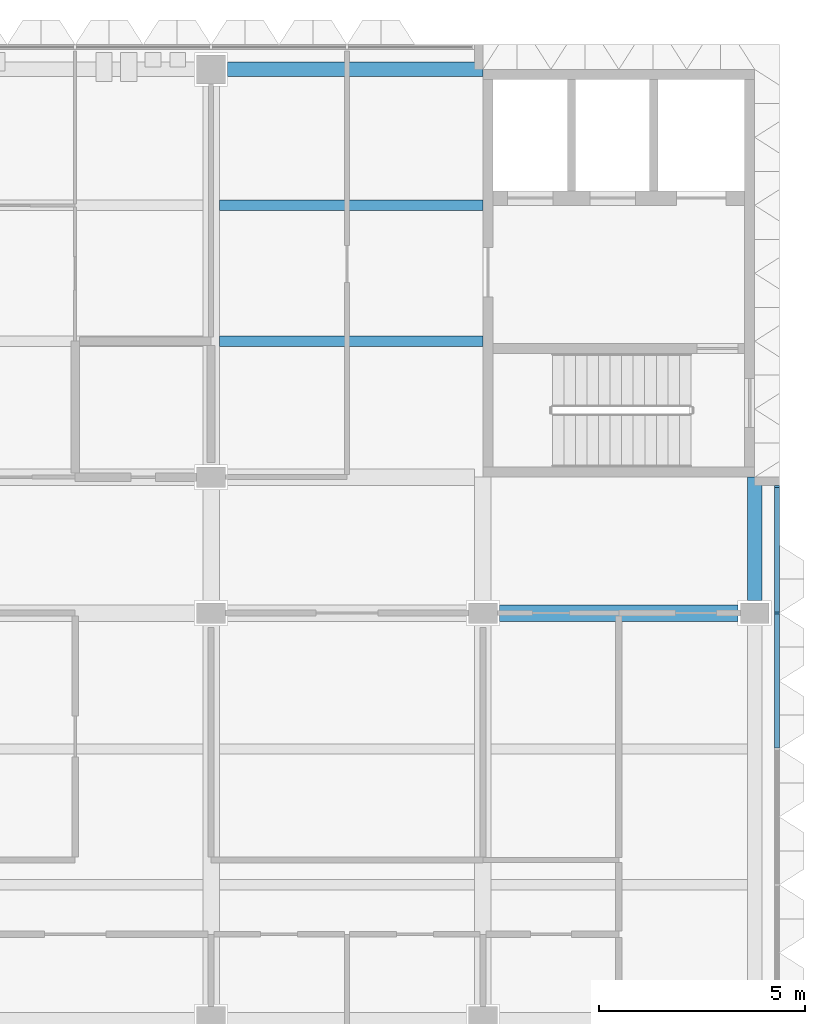
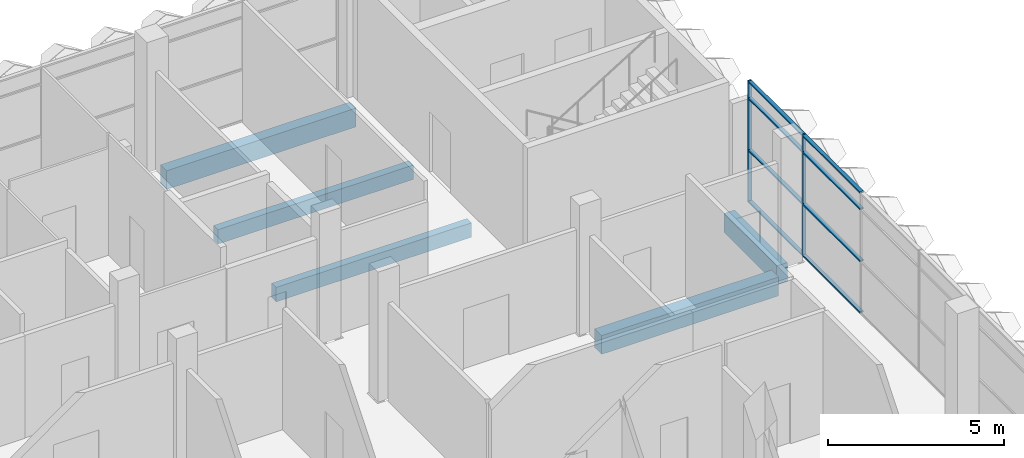
# One storey, part 5 of 29: 10 members, 5 beams, 1 element without a shape of its own.
"""IFC4 building model written with IfcOpenShell, lengths in metres."""

from ifc_helpers import new_model, si_unit, direction, frame, origin, origin_2d, place, context, subcontext, project, spatial, rectangle, extrude, material, material_profile, profile_set, type_object, element, aggregate, save


model = new_model("IFC4")

# Units and contexts
model_context = context("Model", 3, precision=1e-05, world=origin(), true_north=direction((0.0, 1.0)))
body_context = subcontext(model_context, "Body", "Model", "MODEL_VIEW")
ifc_project = project(units=[si_unit("LENGTHUNIT", "METRE"), si_unit("AREAUNIT", "SQUARE_METRE"), si_unit("VOLUMEUNIT", "CUBIC_METRE"), si_unit("PLANEANGLEUNIT", "RADIAN"), si_unit("MASSUNIT", "GRAM", prefix="KILO")], contexts=[model_context])

# Site, building, storey
site_placement = place(None, origin())
site = spatial("IfcSite", under=ifc_project, at=site_placement, CompositionType="ELEMENT")
building_placement = place(site_placement, origin())
building = spatial("IfcBuilding", under=site, at=building_placement, Name="Lantern Court Research Institute", CompositionType="ELEMENT")
storey_placement = place(building_placement, frame((0.0, 0.0, 32.39990234375)))
storey = spatial("IfcBuildingStorey", under=building, at=storey_placement, Name="L07", CompositionType="ELEMENT", Elevation=32.39990234375)

# Curtain wall, members
ifc_material_1 = material(Name="Aluminium alloy 6063-T6", Category="aluminium")
curtain_wall_type = type_object("IfcCurtainWallType", Name="Curtain wall 21250 x 4200 x 120 aluminium frame", PredefinedType="NOTDEFINED", material=ifc_material_1)
curtain_wall_placement = place(storey_placement, origin())
curtain_wall = element("IfcCurtainWall", 1, at=curtain_wall_placement, inside=storey, type_object=curtain_wall_type, Name="Curtain wall CW081", PredefinedType="NOTDEFINED")
ifc_material_2 = material(Name="Aluminium alloy 6063-T6", Category="aluminium")
ifc_material_profile_1 = material_profile(ifc_material_2, rectangle(XDim=0.1201171875, YDim=0.050048828125, at=origin_2d()), Name="Mullion 120 x 50")
ifc_profile_set_1 = profile_set([ifc_material_profile_1], Name="Aluminium alloy 6063-T6")
member_type_1 = type_object("IfcMemberType", Name="Mullion 120 x 50 aluminium", PredefinedType="MULLION", material=ifc_profile_set_1)
member_1_placement = place(storey_placement, frame((79.739990234375, 9.89990234375, 0.0), z_axis=(0.0, 0.0, 1.0), x_axis=(1.0, 0.0, 0.0)))
member_1 = element("IfcMember", 2, at=member_1_placement, type_object=member_type_1, Name="CW081 mullion 7", PredefinedType="MULLION", context=body_context, shape_type="SweptSolid", body=[
    extrude(rectangle(XDim=0.1201171875, YDim=0.050048828125, at=origin_2d()), origin(), (0.0, 0.0, 1.0), 4.2001953125),
])
member_2_placement = place(storey_placement, frame((79.739990234375, 12.97509765625, 0.0), z_axis=(0.0, 0.0, 1.0), x_axis=(1.0, 0.0, 0.0)))
member_2 = element("IfcMember", 3, at=member_2_placement, type_object=member_type_1, Name="CW081 mullion 8", PredefinedType="MULLION", context=body_context, shape_type="SweptSolid", body=[
    extrude(rectangle(XDim=0.1201171875, YDim=0.050048828125, at=origin_2d()), origin(), (0.0, 0.0, 1.0), 4.2001953125),
])

# Beams
ifc_material_3 = material(Name="Concrete C40/50", Category="concrete")
ifc_material_profile_2 = material_profile(ifc_material_3, rectangle(XDim=0.39990234375, YDim=0.64990234375, at=origin_2d()), Name="RC beam 400 x 650")
ifc_profile_set_2 = profile_set([ifc_material_profile_2], Name="Concrete C40/50")
beam_type_1 = type_object("IfcBeamType", Name="RC beam 400 x 650", PredefinedType="BEAM", material=ifc_profile_set_2)
beam_1_placement = place(storey_placement, frame((73.0, 9.89990234375, -0.625), z_axis=(1.0, 0.0, 0.0), x_axis=(0.0, 1.0, 0.0)))
element("IfcBeam", 4, at=beam_1_placement, inside=storey, type_object=beam_type_1, Name="Beam L07 grid B/12-13", PredefinedType="BEAM", context=body_context, shape_type="SweptSolid", body=[
    extrude(rectangle(XDim=0.39990234375, YDim=0.64990234375, at=origin_2d()), origin(), (0.0, 0.0, 1.0), 5.800048828125),
])
ifc_material_4 = material(Name="Concrete C40/50", Category="concrete")
ifc_material_profile_3 = material_profile(ifc_material_4, rectangle(XDim=0.35009765625, YDim=0.64990234375, at=origin_2d()), Name="RC beam 350 x 650")
ifc_profile_set_3 = profile_set([ifc_material_profile_3], Name="Concrete C40/50")
beam_type_2 = type_object("IfcBeamType", Name="RC edge beam 350 x 650", PredefinedType="BEAM", material=ifc_profile_set_3)
beam_2_placement = place(storey_placement, frame((79.199951171875, 10.199951171875, -0.625), z_axis=(0.0, 1.0, 0.0), x_axis=(-1.0, 0.0, 0.0)))
element("IfcBeam", 5, at=beam_2_placement, inside=storey, type_object=beam_type_2, Name="Edge beam L07 grid 13/B-C", PredefinedType="BEAM", context=body_context, shape_type="SweptSolid", body=[
    extrude(rectangle(XDim=0.35009765625, YDim=0.64990234375, at=origin_2d()), origin(), (0.0, 0.0, 1.0), 3.0),
])
beam_3_placement = place(storey_placement, frame((66.39990234375, 23.10009765625, -0.625), z_axis=(1.0, 0.0, 0.0), x_axis=(0.0, 1.0, 0.0)))
element("IfcBeam", 6, at=beam_3_placement, inside=storey, type_object=beam_type_2, Name="Edge beam L07 grid D/11-12", PredefinedType="BEAM", context=body_context, shape_type="SweptSolid", body=[
    extrude(rectangle(XDim=0.35009765625, YDim=0.64990234375, at=origin_2d()), origin(), (0.0, 0.0, 1.0), 6.2001953125),
])
ifc_material_5 = material(Name="Concrete C40/50", Category="concrete")
ifc_material_profile_4 = material_profile(ifc_material_5, rectangle(XDim=0.25, YDim=0.5, at=origin_2d()), Name="RC beam 250 x 500")
ifc_profile_set_4 = profile_set([ifc_material_profile_4], Name="Concrete C40/50")
beam_type_3 = type_object("IfcBeamType", Name="RC secondary beam 250 x 500", PredefinedType="BEAM", material=ifc_profile_set_4)
for number, where, z_axis, x_axis, name in (
    (7, (66.199951171875, 16.5, -0.5498046875), (1.0, 0.0, 0.0), (0.0, 1.0, 0.0), "Secondary beam L07 grids 11-12 / C-D, line 1"),
    (8, (66.199951171875, 19.800048828125, -0.5498046875), (1.0, 0.0, 0.0), (0.0, 1.0, 0.0), "Secondary beam L07 grids 11-12 / C-D, line 2"),
):
    element("IfcBeam", number, at=place(storey_placement, frame(where, z_axis=z_axis, x_axis=x_axis)), inside=storey, type_object=beam_type_3, Name=name, PredefinedType="BEAM", context=body_context, shape_type="SweptSolid", body=[
        extrude(rectangle(XDim=0.25, YDim=0.5, at=origin_2d()), origin(), (0.0, 0.0, 1.0), 6.400146484375),
    ])

# Member
ifc_material_6 = material(Name="Aluminium alloy 6063-T6", Category="aluminium")
ifc_material_profile_5 = material_profile(ifc_material_6, rectangle(XDim=0.1201171875, YDim=0.050048828125, at=origin_2d()), Name="Transom 120 x 50")
ifc_profile_set_5 = profile_set([ifc_material_profile_5], Name="Aluminium alloy 6063-T6")
member_type_2 = type_object("IfcMemberType", Name="Transom 120 x 50 aluminium", PredefinedType="USERDEFINED", material=ifc_profile_set_5)
member_3_placement = place(storey_placement, frame((79.739990234375, 9.875, 0.025146484375), z_axis=(0.0, -1.0, 0.0), x_axis=(1.0, 0.0, 0.0)))
member_3 = element("IfcMember", 9, at=member_3_placement, type_object=member_type_2, Name="CW081 transom 6.1", ObjectType="TRANSOM", PredefinedType="USERDEFINED", context=body_context, shape_type="SweptSolid", body=[
    extrude(rectangle(XDim=0.1201171875, YDim=0.050048828125, at=origin_2d()), origin(), (0.0, 0.0, 1.0), 3.25),
])

member_4_placement = place(storey_placement, frame((79.739990234375, 9.875, 1.800048828125), z_axis=(0.0, -1.0, 0.0), x_axis=(1.0, 0.0, 0.0)))
member_4 = element("IfcMember", 10, at=member_4_placement, type_object=member_type_2, Name="CW081 transom 6.2", ObjectType="TRANSOM", PredefinedType="USERDEFINED", context=body_context, shape_type="SweptSolid", body=[
    extrude(rectangle(XDim=0.1201171875, YDim=0.050048828125, at=origin_2d()), origin(), (0.0, 0.0, 1.0), 3.25),
])

member_5_placement = place(storey_placement, frame((79.739990234375, 9.875, 3.60009765625), z_axis=(0.0, -1.0, 0.0), x_axis=(1.0, 0.0, 0.0)))
member_5 = element("IfcMember", 11, at=member_5_placement, type_object=member_type_2, Name="CW081 transom 6.3", ObjectType="TRANSOM", PredefinedType="USERDEFINED", context=body_context, shape_type="SweptSolid", body=[
    extrude(rectangle(XDim=0.1201171875, YDim=0.050048828125, at=origin_2d()), origin(), (0.0, 0.0, 1.0), 3.25),
])

member_6_placement = place(storey_placement, frame((79.739990234375, 9.875, 4.175048828125), z_axis=(0.0, -1.0, 0.0), x_axis=(1.0, 0.0, 0.0)))
member_6 = element("IfcMember", 12, at=member_6_placement, type_object=member_type_2, Name="CW081 transom 6.4", ObjectType="TRANSOM", PredefinedType="USERDEFINED", context=body_context, shape_type="SweptSolid", body=[
    extrude(rectangle(XDim=0.1201171875, YDim=0.050048828125, at=origin_2d()), origin(), (0.0, 0.0, 1.0), 3.25),
])

member_7_placement = place(storey_placement, frame((79.739990234375, 12.949951171875, 0.025146484375), z_axis=(0.0, -1.0, 0.0), x_axis=(1.0, 0.0, 0.0)))
member_7 = element("IfcMember", 13, at=member_7_placement, type_object=member_type_2, Name="CW081 transom 7.1", ObjectType="TRANSOM", PredefinedType="USERDEFINED", context=body_context, shape_type="SweptSolid", body=[
    extrude(rectangle(XDim=0.1201171875, YDim=0.050048828125, at=origin_2d()), origin(), (0.0, 0.0, 1.0), 3.02490234375),
])

member_8_placement = place(storey_placement, frame((79.739990234375, 12.949951171875, 1.800048828125), z_axis=(0.0, -1.0, 0.0), x_axis=(1.0, 0.0, 0.0)))
member_8 = element("IfcMember", 14, at=member_8_placement, type_object=member_type_2, Name="CW081 transom 7.2", ObjectType="TRANSOM", PredefinedType="USERDEFINED", context=body_context, shape_type="SweptSolid", body=[
    extrude(rectangle(XDim=0.1201171875, YDim=0.050048828125, at=origin_2d()), origin(), (0.0, 0.0, 1.0), 3.02490234375),
])

member_9_placement = place(storey_placement, frame((79.739990234375, 12.949951171875, 3.60009765625), z_axis=(0.0, -1.0, 0.0), x_axis=(1.0, 0.0, 0.0)))
member_9 = element("IfcMember", 15, at=member_9_placement, type_object=member_type_2, Name="CW081 transom 7.3", ObjectType="TRANSOM", PredefinedType="USERDEFINED", context=body_context, shape_type="SweptSolid", body=[
    extrude(rectangle(XDim=0.1201171875, YDim=0.050048828125, at=origin_2d()), origin(), (0.0, 0.0, 1.0), 3.02490234375),
])

member_10_placement = place(storey_placement, frame((79.739990234375, 12.949951171875, 4.175048828125), z_axis=(0.0, -1.0, 0.0), x_axis=(1.0, 0.0, 0.0)))
member_10 = element("IfcMember", 16, at=member_10_placement, type_object=member_type_2, Name="CW081 transom 7.4", ObjectType="TRANSOM", PredefinedType="USERDEFINED", context=body_context, shape_type="SweptSolid", body=[
    extrude(rectangle(XDim=0.1201171875, YDim=0.050048828125, at=origin_2d()), origin(), (0.0, 0.0, 1.0), 3.02490234375),
])

aggregate(curtain_wall, [member_1, member_2, member_3, member_4, member_5, member_6, member_7, member_8, member_9, member_10])

save(model, "model.ifc")
